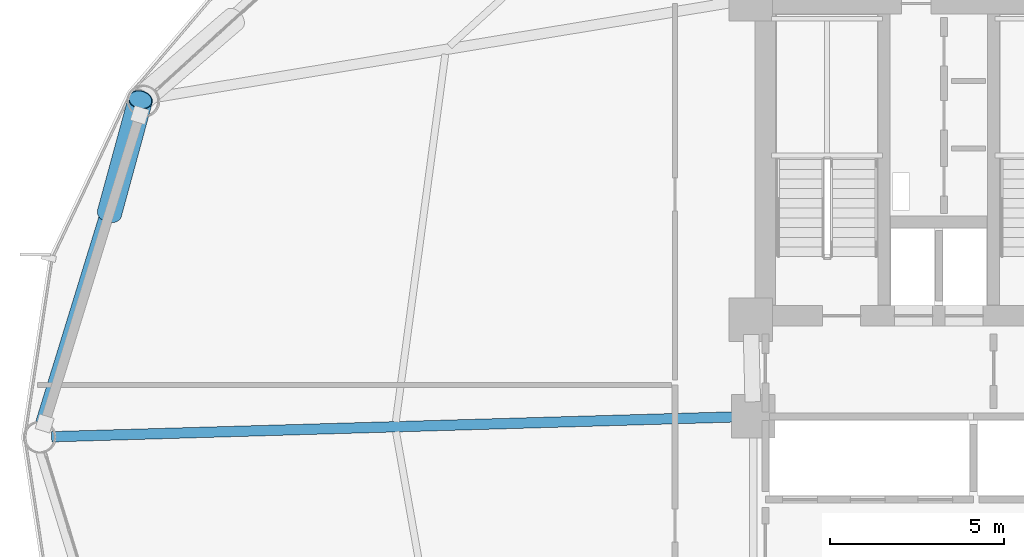
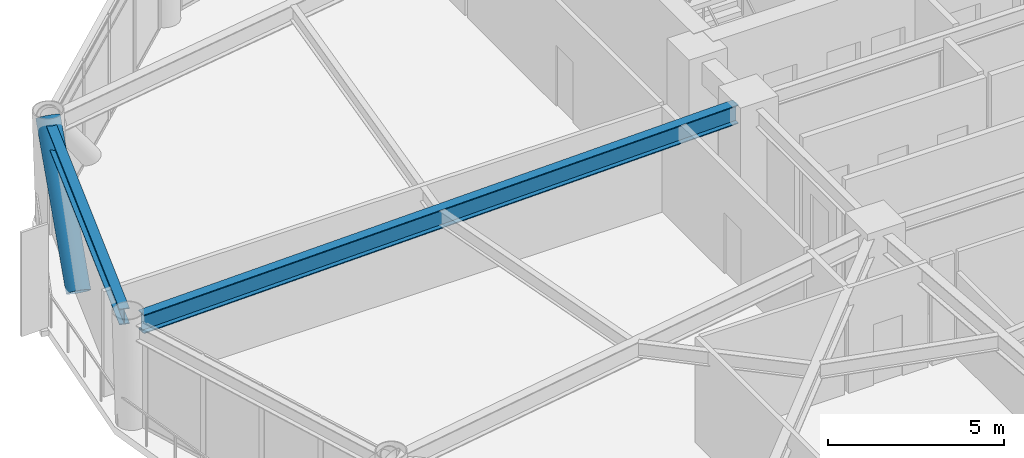
# One storey, part 9 of 25: 2 beams, 1 member.
"""IFC4 building model written with IfcOpenShell, lengths in metres."""

import ifcopenshell
import ifcopenshell.guid

model = None  # the IFC model being written
_history = None  # IfcOwnerHistory: only IFC2X3 demands one
_inside = {}  # id of a spatial element -> (the spatial element, [elements in it])
_under = {}  # id of a project, library or spatial element -> (it, [spatial elements below it])
_declared = {}  # id of a project -> (the project, [libraries it declares])
_typed = {}  # id of a type object -> (the type object, [elements of that type])
_made_of = {}  # id of a material, layer set ... -> (it, [elements and type objects made of it])


def new_model(schema):
    """Start an empty IFC model of exactly this schema.

    Asked for "IFC4X3", IfcOpenShell would pick the latest addendum, in which some entities
    have other attributes; the version numbers below select the first issue.
    IFC2X3 requires an IfcOwnerHistory on every rooted entity: one is made here for all.
    """
    global model, _history
    if schema == "IFC4X3":
        model = ifcopenshell.file(schema_version=(4, 3, 0, 0))
    else:
        model = ifcopenshell.file(schema=schema)
    _inside.clear()
    _under.clear()
    _declared.clear()
    _typed.clear()
    _made_of.clear()
    _history = None
    if model.schema == "IFC2X3":
        org = make("IfcOrganization", Name="unknown")
        user = make(
            "IfcPersonAndOrganization",
            ThePerson=make("IfcPerson", FamilyName="unknown"),
            TheOrganization=org,
        )
        app = make(
            "IfcApplication",
            ApplicationDeveloper=org,
            Version="unknown",
            ApplicationFullName="unknown",
            ApplicationIdentifier="unknown",
        )
        _history = make(
            "IfcOwnerHistory",
            OwningUser=user,
            OwningApplication=app,
            ChangeAction="ADDED",
            CreationDate=0,
        )
    return model


def make(cls, **values):
    """One entity of the class cls with the attributes given. An attribute that is None is left unset."""
    return model.create_entity(
        cls, **{name: value for name, value in values.items() if value is not None}
    )


def rooted(cls, **values):
    """An entity with a GlobalId (a new one), such as an element, a storey or a relation."""
    return make(cls, GlobalId=ifcopenshell.guid.new(), OwnerHistory=_history, **values)


def si_unit(unit_type, name, prefix=None):
    """IfcSIUnit, for example si_unit("LENGTHUNIT", "METRE", prefix="MILLI")."""
    return make("IfcSIUnit", UnitType=unit_type, Prefix=prefix, Name=name)


def assignment(units):
    """IfcUnitAssignment: the units of a project."""
    return None if units is None else make("IfcUnitAssignment", Units=units)


def point(xyz):
    """IfcCartesianPoint."""
    return None if xyz is None else make("IfcCartesianPoint", Coordinates=xyz)


def direction(xyz):
    """IfcDirection."""
    return None if xyz is None else make("IfcDirection", DirectionRatios=xyz)


def frame(location, z_axis=None, x_axis=None):
    """IfcAxis2Placement3D, a coordinate frame: its origin and axes. An axis left out is left unset."""
    return make(
        "IfcAxis2Placement3D",
        Location=point(location),
        Axis=direction(z_axis),
        RefDirection=direction(x_axis),
    )


def frame_2d(location, x_axis=None):
    """IfcAxis2Placement2D, a coordinate frame in the plane: its origin and x axis."""
    return make(
        "IfcAxis2Placement2D", Location=point(location), RefDirection=direction(x_axis)
    )


def origin():
    """The frame at (0, 0, 0) with its axes left unset."""
    return frame((0.0, 0.0, 0.0))


def origin_2d():
    """The frame at (0, 0) in the plane with its x axis left unset."""
    return frame_2d((0.0, 0.0))


def place(relative_to, where):
    """IfcLocalPlacement: puts the frame where relative to a parent placement (None: the world)."""
    return make(
        "IfcLocalPlacement", PlacementRelTo=relative_to, RelativePlacement=where
    )


def context(
    kind, dimensions, precision=None, world=None, true_north=None, identifier=None
):
    """IfcGeometricRepresentationContext, for example the 3D "Model" context."""
    return make(
        "IfcGeometricRepresentationContext",
        ContextIdentifier=identifier,
        ContextType=kind,
        CoordinateSpaceDimension=dimensions,
        Precision=precision,
        WorldCoordinateSystem=world,
        TrueNorth=true_north,
    )


def subcontext(parent, identifier, kind, view, scale=None):
    """IfcGeometricRepresentationSubContext, for example "Body" below "Model"."""
    return make(
        "IfcGeometricRepresentationSubContext",
        ContextIdentifier=identifier,
        ContextType=kind,
        ParentContext=parent,
        TargetScale=scale,
        TargetView=view,
    )


def project(units=None, contexts=None):
    """IfcProject with its units and contexts."""
    return rooted(
        "IfcProject",
        Name="project",
        RepresentationContexts=contexts,
        UnitsInContext=assignment(units),
    )


def spatial(cls, under=None, at=None, **own):
    """A site, building, storey or space (cls), placed at a placement, below another one or the project."""
    s = rooted(cls, ObjectPlacement=at, **own)
    if under is not None:
        _under.setdefault(under.id(), (under, []))[1].append(s)
    return s


def profile(cls, at=None, kind="AREA", **sizes):
    """A parametric profile (cls). Its sizes go by their IFC names, for example OverallWidth=200.0."""
    return make(cls, ProfileType=kind, Position=at, **sizes)


def hollow_circle(**sizes):
    """IfcCircleHollowProfileDef."""
    return profile("IfcCircleHollowProfileDef", **sizes)


def i_section(**sizes):
    """IfcIShapeProfileDef."""
    return profile("IfcIShapeProfileDef", **sizes)


def extrude(swept, where, along, depth):
    """IfcExtrudedAreaSolid: the profile swept, set in the frame where, extruded along a direction by depth."""
    return make(
        "IfcExtrudedAreaSolid",
        SweptArea=swept,
        Position=where,
        ExtrudedDirection=direction(along),
        Depth=depth,
    )


def shape(context_of_items, identifier, shape_type, items):
    """IfcShapeRepresentation: the items that make up one representation, for example the "Body"."""
    return make(
        "IfcShapeRepresentation",
        ContextOfItems=context_of_items,
        RepresentationIdentifier=identifier,
        RepresentationType=shape_type,
        Items=items,
    )


def material(Name=None, Category=None):
    """IfcMaterial."""
    return make("IfcMaterial", Name=Name, Category=Category)


def material_profile(
    of_material, cross_section, Name=None, Category=None, Priority=None
):
    """IfcMaterialProfile: a cross section and its material."""
    return make(
        "IfcMaterialProfile",
        Name=Name,
        Material=of_material,
        Profile=cross_section,
        Priority=Priority,
        Category=Category,
    )


def profile_set(profiles, Name=None, composite=None):
    """IfcMaterialProfileSet."""
    return make(
        "IfcMaterialProfileSet",
        Name=Name,
        MaterialProfiles=profiles,
        CompositeProfile=composite,
    )


def made_of(thing, what):
    """Note that an element or type object is made of a material, layer set ...; save() writes the relation."""
    if what is not None:
        _made_of.setdefault(what.id(), (what, []))[1].append(thing)
    return thing


def type_object(cls, material=None, **own):
    """A type object (cls), such as IfcWallType, which elements share."""
    return made_of(rooted(cls, **own), material)


def element(
    cls,
    number,
    at=None,
    inside=None,
    cuts=None,
    type_object=None,
    material=None,
    context=None,
    identifier="Body",
    shape_type=None,
    held_by="IfcProductDefinitionShape",
    body=None,
    shapes=None,
    **own,
):
    """One element of the class cls, such as IfcWall. Its Tag is "e" and its number.

    at: its placement. inside: the storey or other place that contains it. cuts: it is an
    opening in that element (IfcRelVoidsElement). A single representation is given by context,
    identifier, shape_type and body (its items); several are given by shapes. held_by: the class
    of the entity that holds the representations. save() writes the other relations.
    """
    e = rooted(cls, Tag="e%d" % number, ObjectPlacement=at, **own)
    if body is not None:
        shapes = [shape(context, identifier, shape_type, body)]
    if shapes is not None:
        e.Representation = make(held_by, Representations=shapes)
    if inside is not None:
        _inside.setdefault(inside.id(), (inside, []))[1].append(e)
    if cuts is not None:
        rooted(
            "IfcRelVoidsElement", RelatingBuildingElement=cuts, RelatedOpeningElement=e
        )
    if type_object is not None:
        _typed.setdefault(type_object.id(), (type_object, []))[1].append(e)
    return made_of(e, material)


def aggregate(whole, parts):
    """IfcRelAggregates: a whole, such as a stair, and the parts it consists of."""
    return rooted("IfcRelAggregates", RelatingObject=whole, RelatedObjects=parts)


def save(model, path):
    """Write the relations noted so far, then the file.

    IfcRelAggregates (storeys below a building ...), IfcRelContainedInSpatialStructure (elements
    in a storey), IfcRelDefinesByType, IfcRelAssociatesMaterial and IfcRelDeclares: one each for
    every whole, place, type object, material and project.
    """
    for whole, parts in _under.values():
        aggregate(whole, parts)
    for where, things in _inside.values():
        rooted(
            "IfcRelContainedInSpatialStructure",
            RelatedElements=things,
            RelatingStructure=where,
        )
    for kind, things in _typed.values():
        rooted("IfcRelDefinesByType", RelatedObjects=things, RelatingType=kind)
    for what, things in _made_of.values():
        rooted("IfcRelAssociatesMaterial", RelatedObjects=things, RelatingMaterial=what)
    for by, libraries in _declared.values():
        rooted("IfcRelDeclares", RelatingContext=by, RelatedDefinitions=libraries)
    model.write(path)


model = new_model("IFC4")

# Units and contexts
model_context = context("Model", 3, precision=1e-05, world=origin(), true_north=direction((0.0, 1.0)))
body_context = subcontext(model_context, "Body", "Model", "MODEL_VIEW")
ifc_project = project(units=[si_unit("LENGTHUNIT", "METRE"), si_unit("AREAUNIT", "SQUARE_METRE"), si_unit("VOLUMEUNIT", "CUBIC_METRE"), si_unit("PLANEANGLEUNIT", "RADIAN"), si_unit("MASSUNIT", "GRAM", prefix="KILO")], contexts=[model_context])

# Site, building, storey
site_placement = place(None, origin())
site = spatial("IfcSite", under=ifc_project, at=site_placement, CompositionType="ELEMENT")
building_placement = place(site_placement, origin())
building = spatial("IfcBuilding", under=site, at=building_placement, Name="Varnakorn Sky Granary", CompositionType="ELEMENT")
storey_placement = place(building_placement, frame((0.0, 0.0, 58.800048828125)))
storey = spatial("IfcBuildingStorey", under=building, at=storey_placement, Name="L14", CompositionType="ELEMENT", Elevation=58.800048828125)

# Beams
ifc_material_1 = material(Name="Steel S355JR", Category="steel")
ifc_material_profile_1 = material_profile(ifc_material_1, i_section(OverallWidth=0.300048828125, OverallDepth=0.64990234375, WebThickness=0.01611328125, FlangeThickness=0.031005859375, at=origin_2d()), Name="HE 650 B")
ifc_profile_set_1 = profile_set([ifc_material_profile_1], Name="Steel S355JR")
beam_type_1 = type_object("IfcBeamType", Name="BM-RAD-Z1", PredefinedType="BEAM", material=ifc_profile_set_1)
beam_1_placement = place(storey_placement, frame((-2.769775390625, 0.587890625, 3.31494140625), z_axis=(-0.99957807079, -0.02904617695, 0.0), x_axis=(0.02904617695, -0.99957807079, 0.0)))
element("IfcBeam", 1, at=beam_1_placement, inside=storey, type_object=beam_type_1, Name="Radial Floor Girder RG07 L14", PredefinedType="BEAM", context=body_context, shape_type="SweptSolid", body=[
    extrude(i_section(OverallWidth=0.300048828125, OverallDepth=0.64990234375, WebThickness=0.01611328125, FlangeThickness=0.031005859375, at=origin_2d()), origin(), (0.0, 0.0, 1.0), 19.802734375),
])
ifc_material_profile_2 = material_profile(ifc_material_1, i_section(OverallWidth=0.300048828125, OverallDepth=0.550048828125, WebThickness=0.014892578125, FlangeThickness=0.029052734375, at=origin_2d()), Name="HE 550 B")
ifc_profile_set_2 = profile_set([ifc_material_profile_2], Name="Steel S355JR")
beam_type_2 = type_object("IfcBeamType", Name="BM-SPD-Z1", PredefinedType="SPANDREL", material=ifc_profile_set_2)
beam_2_placement = place(storey_placement, frame((-20.137939453125, 9.301513671875, 3.364990234375), z_axis=(-0.2946507866, -0.955604998917, 0.0), x_axis=(0.955604998917, -0.2946507866, 0.0)))
element("IfcBeam", 2, at=beam_2_placement, inside=storey, type_object=beam_type_2, Name="Perimeter Spandrel Ring Beam RB06 L14", PredefinedType="SPANDREL", context=body_context, shape_type="SweptSolid", body=[
    extrude(i_section(OverallWidth=0.300048828125, OverallDepth=0.550048828125, WebThickness=0.014892578125, FlangeThickness=0.029052734375, at=origin_2d()), origin(), (0.0, 0.0, 1.0), 9.291748046875),
])

# Member
ifc_material_2 = material(Name="Steel S460M", Category="steel")
ifc_material_profile_3 = material_profile(ifc_material_2, hollow_circle(Radius=0.35546875, WallThickness=0.02490234375, at=origin_2d()), Name="CHS 711x25")
ifc_profile_set_3 = profile_set([ifc_material_profile_3], Name="Steel S460M")
member_type = type_object("IfcMemberType", Name="MB-DIAG-T0", PredefinedType="BRACE", material=ifc_profile_set_3)
member_placement = place(storey_placement, frame((-20.899658203125, 6.45166015625, -0.130126953125), z_axis=(0.175863570081, 0.645298465198, 0.743412332109), x_axis=(-0.964811975904, 0.262940774991, 0.0)))
element("IfcMember", 3, at=member_placement, inside=storey, type_object=member_type, Name="Perimeter CHS Diagrid Brace DG06 L14", PredefinedType="BRACE", context=body_context, shape_type="SweptSolid", body=[
    extrude(hollow_circle(Radius=0.35546875, WallThickness=0.02490234375, at=origin_2d()), origin(), (0.0, 0.0, 1.0), 5.0712890625),
])

save(model, "model.ifc")
